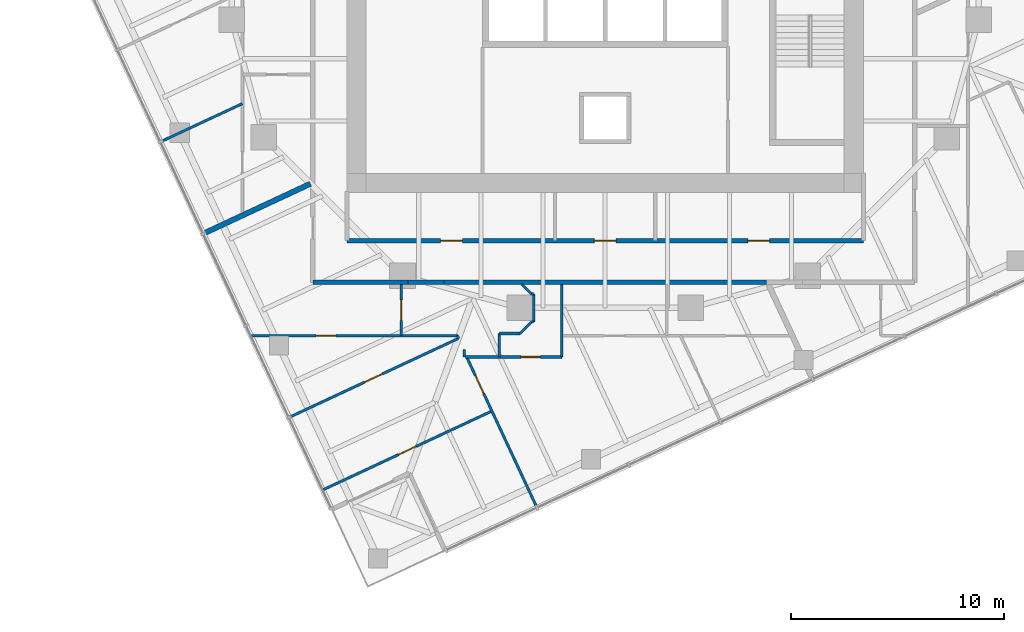
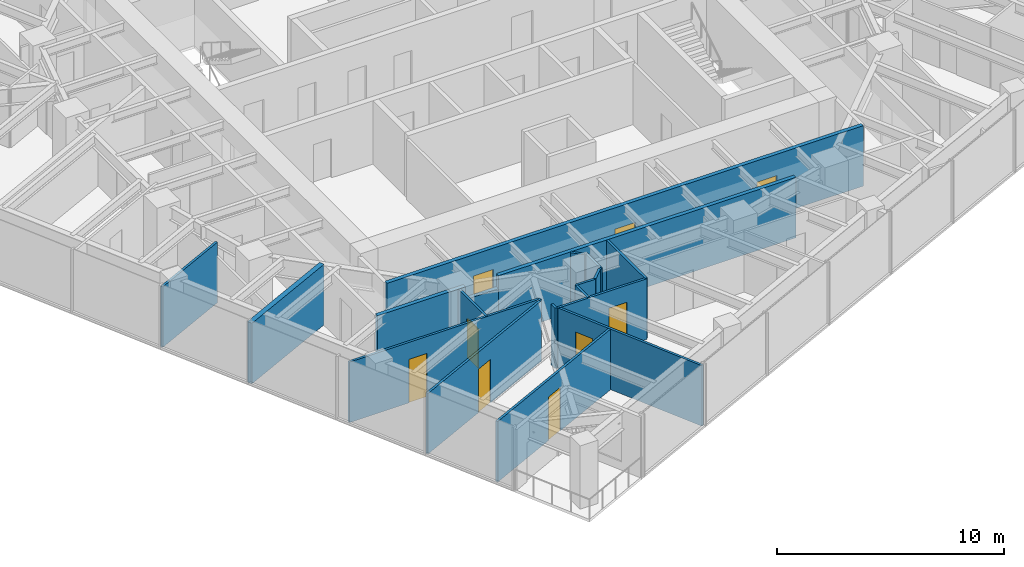
# One storey, part 7 of 13: 22 walls, 9 doors, 9 openings.
"""IFC4 building model written with IfcOpenShell, lengths in metres."""

from ifc_helpers import new_model, si_unit, direction, frame, frame_2d, origin, place, context, subcontext, project, spatial, rectangle, extrude, material, layer, layer_set, type_object, element, fill, save


model = new_model("IFC4")

# Units and contexts
model_context = context("Model", 3, precision=1e-05, world=origin(), true_north=direction((0.0, 1.0)))
body_context = subcontext(model_context, "Body", "Model", "MODEL_VIEW")
ifc_project = project(units=[si_unit("LENGTHUNIT", "METRE"), si_unit("AREAUNIT", "SQUARE_METRE"), si_unit("VOLUMEUNIT", "CUBIC_METRE"), si_unit("PLANEANGLEUNIT", "RADIAN"), si_unit("MASSUNIT", "GRAM", prefix="KILO")], contexts=[model_context])

# Site, building, storey
site_placement = place(None, origin())
site = spatial("IfcSite", under=ifc_project, at=site_placement, CompositionType="ELEMENT")
building_placement = place(site_placement, origin())
building = spatial("IfcBuilding", under=site, at=building_placement, Name="Torsade Residences", CompositionType="ELEMENT")
storey_placement = place(building_placement, frame((0.0, 0.0, 176.0)))
storey = spatial("IfcBuildingStorey", under=building, at=storey_placement, Name="L48", CompositionType="ELEMENT", Elevation=176.0)

# Walls
ifc_material_1 = material(Name="Plasterboard on steel stud", Category="steel")
ifc_layer_1 = layer(ifc_material_1, 0.199951171875)
ifc_layer_set_1 = layer_set([ifc_layer_1], Name="Plasterboard on steel stud")
wall_type_1 = type_object("IfcWallType", Name="CORRIDOR WALL 200", PredefinedType="PARTITIONING", material=ifc_layer_set_1)
wall_1_placement = place(storey_placement, frame((26.300048828125, 13.699951171875, 0.0), z_axis=(0.0, 0.0, 1.0), x_axis=(1.0, 0.0, 0.0)))
element("IfcWall", 1, at=wall_1_placement, inside=storey, type_object=wall_type_1, Name="Corridor wall L48", PredefinedType="PARTITIONING", context=body_context, shape_type="SweptSolid", body=[
    extrude(rectangle(XDim=4.458251953125, YDim=0.199951171875, at=frame_2d((2.22900390625, 0.0))), origin(), (0.0, 0.0, 1.0), 3.25),
])
wall_2_placement = place(storey_placement, frame((30.75830078125, 13.699951171875, 0.0), z_axis=(0.0, 0.0, 1.0), x_axis=(1.0, 0.0, 0.0)))
element("IfcWall", 2, at=wall_2_placement, inside=storey, type_object=wall_type_1, Name="Corridor wall L48", PredefinedType="PARTITIONING", context=body_context, shape_type="SweptSolid", body=[
    extrude(rectangle(XDim=1.683349609375, YDim=0.199951171875, at=frame_2d((0.841796875, 0.0))), origin(), (0.0, 0.0, 1.0), 2.550048828125),
])
wall_3_placement = place(storey_placement, frame((32.441650390625, 13.699951171875, 0.0), z_axis=(0.0, 0.0, 1.0), x_axis=(1.0, 0.0, 0.0)))
element("IfcWall", 3, at=wall_3_placement, inside=storey, type_object=wall_type_1, Name="Corridor wall L48", PredefinedType="PARTITIONING", context=body_context, shape_type="SweptSolid", body=[
    extrude(rectangle(XDim=15.11669921875, YDim=0.199951171875, at=frame_2d((7.558349609375, 0.0))), origin(), (0.0, 0.0, 1.0), 3.25),
])

# Wall, openings, doors
wall_4_placement = place(storey_placement, frame((27.89990234375, 15.64990234375, 0.0), z_axis=(0.0, 0.0, 1.0), x_axis=(1.0, 0.0, 0.0)))
wall_4 = element("IfcWall", 4, at=wall_4_placement, inside=storey, type_object=wall_type_1, Name="Corridor wall L48", PredefinedType="PARTITIONING", context=body_context, shape_type="SweptSolid", body=[
    extrude(rectangle(XDim=24.2001953125, YDim=0.199951171875, at=frame_2d((12.10009765625, 0.0))), origin(), (0.0, 0.0, 1.0), 3.25),
])
opening_1_placement = place(wall_4_placement, frame((4.391357421875, 0.0, 0.0)))
opening_1 = element("IfcOpeningElement", 5, at=opening_1_placement, cuts=wall_4, Name="Opening D03", PredefinedType="OPENING", context=body_context, shape_type="SweptSolid", body=[
    extrude(rectangle(XDim=1.02001953125, YDim=2.10009765625, at=frame_2d((0.510009765625, 1.050048828125))), frame((0.0, 0.10986328125, 0.0), z_axis=(0.0, -1.0, 0.0), x_axis=(1.0, 0.0, 0.0)), (0.0, 0.0, 1.0), 0.219970703125),
])
opening_2_placement = place(wall_4_placement, frame((18.788818359375, 0.0, 0.0)))
opening_2 = element("IfcOpeningElement", 6, at=opening_2_placement, cuts=wall_4, Name="Opening D03", PredefinedType="OPENING", context=body_context, shape_type="SweptSolid", body=[
    extrude(rectangle(XDim=1.02001953125, YDim=2.10009765625, at=frame_2d((0.510009765625, 1.050048828125))), frame((0.0, 0.10986328125, 0.0), z_axis=(0.0, -1.0, 0.0), x_axis=(1.0, 0.0, 0.0)), (0.0, 0.0, 1.0), 0.219970703125),
])
opening_3_placement = place(wall_4_placement, frame((11.590087890625, 0.0, 0.0)))
opening_3 = element("IfcOpeningElement", 7, at=opening_3_placement, cuts=wall_4, Name="Opening D03", PredefinedType="OPENING", context=body_context, shape_type="SweptSolid", body=[
    extrude(rectangle(XDim=1.02001953125, YDim=2.10009765625, at=frame_2d((0.510009765625, 1.050048828125))), frame((0.0, 0.10986328125, 0.0), z_axis=(0.0, -1.0, 0.0), x_axis=(1.0, 0.0, 0.0)), (0.0, 0.0, 1.0), 0.219970703125),
])
ifc_material_2 = material(Name="Steel-framed fire door", Category="steel")
door_type_1 = type_object("IfcDoorType", Name="FIRE DOOR 1020", OperationType="NOTDEFINED", PredefinedType="DOOR", material=ifc_material_2)
door_1_placement = place(opening_1_placement, origin())
door_1 = element("IfcDoor", 8, at=door_1_placement, inside=storey, type_object=door_type_1, Name="Door Residential corridor to Residents storage", OperationType="SINGLE_SWING_LEFT", OverallHeight=2.10009765625, OverallWidth=1.02001953125, PredefinedType="DOOR", context=body_context, shape_type="SweptSolid", body=[
    extrude(rectangle(XDim=1.02001953125, YDim=2.10009765625, at=frame_2d((0.510009765625, 1.050048828125))), frame((0.0, 0.02490234375, 0.0), z_axis=(0.0, -1.0, 0.0), x_axis=(1.0, 0.0, 0.0)), (0.0, 0.0, 1.0), 0.050048828125),
])
fill(opening_1, door_1)
door_2_placement = place(opening_2_placement, origin())
door_2 = element("IfcDoor", 9, at=door_2_placement, inside=storey, type_object=door_type_1, Name="Door Residential corridor to Parcel room", OperationType="SINGLE_SWING_RIGHT", OverallHeight=2.10009765625, OverallWidth=1.02001953125, PredefinedType="DOOR", context=body_context, shape_type="SweptSolid", body=[
    extrude(rectangle(XDim=1.02001953125, YDim=2.10009765625, at=frame_2d((0.510009765625, 1.050048828125))), frame((0.0, 0.02490234375, 0.0), z_axis=(0.0, -1.0, 0.0), x_axis=(1.0, 0.0, 0.0)), (0.0, 0.0, 1.0), 0.050048828125),
])
fill(opening_2, door_2)
door_3_placement = place(opening_3_placement, origin())
door_3 = element("IfcDoor", 10, at=door_3_placement, inside=storey, type_object=door_type_1, Name="Door Residential corridor to Cleaner store", OperationType="SINGLE_SWING_RIGHT", OverallHeight=2.10009765625, OverallWidth=1.02001953125, PredefinedType="DOOR", context=body_context, shape_type="SweptSolid", body=[
    extrude(rectangle(XDim=1.02001953125, YDim=2.10009765625, at=frame_2d((0.510009765625, 1.050048828125))), frame((0.0, 0.02490234375, 0.0), z_axis=(0.0, -1.0, 0.0), x_axis=(1.0, 0.0, 0.0)), (0.0, 0.0, 1.0), 0.050048828125),
])
fill(opening_3, door_3)

# Wall
ifc_material_3 = material(Name="Plasterboard on steel stud", Category="steel")
ifc_layer_2 = layer(ifc_material_3, 0.1201171875)
ifc_layer_set_2 = layer_set([ifc_layer_2], Name="Plasterboard on steel stud")
wall_type_2 = type_object("IfcWallType", Name="PARTITION 120", PredefinedType="PARTITIONING", material=ifc_layer_set_2)
wall_5_placement = place(storey_placement, frame((23.0, 22.07275390625, 0.0), z_axis=(0.0, 0.0, 1.0), x_axis=(-0.906304800396, -0.422624666552, 0.0)))
element("IfcWall", 11, at=wall_5_placement, inside=storey, type_object=wall_type_2, Name="Partition L48", PredefinedType="PARTITIONING", context=body_context, shape_type="SweptSolid", body=[
    extrude(rectangle(XDim=4.20263671875, YDim=0.1201171875, at=frame_2d((2.101318359375, 0.0))), origin(), (0.0, 0.0, 1.0), 3.25),
])

# Wall, opening, door
wall_6_placement = place(storey_placement, frame((30.449951171875, 13.60009765625, 0.0), z_axis=(0.0, 0.0, 1.0), x_axis=(0.0, -1.0, 0.0)))
wall_6 = element("IfcWall", 12, at=wall_6_placement, inside=storey, type_object=wall_type_2, Name="Partition L48", PredefinedType="PARTITIONING", context=body_context, shape_type="SweptSolid", body=[
    extrude(rectangle(XDim=2.400146484375, YDim=0.1201171875, at=frame_2d((1.2001953125, 0.0))), origin(), (0.0, 0.0, 1.0), 3.25),
])
opening_4_placement = place(wall_6_placement, frame((0.719970703125, 0.0, 0.0)))
opening_4 = element("IfcOpeningElement", 13, at=opening_4_placement, cuts=wall_6, Name="Opening D05", PredefinedType="OPENING", context=body_context, shape_type="SweptSolid", body=[
    extrude(rectangle(XDim=0.9599609375, YDim=2.10009765625, at=frame_2d((0.47998046875, 1.050048828125))), frame((0.0, 0.070068359375, 0.0), z_axis=(0.0, -1.0, 0.0), x_axis=(1.0, 0.0, 0.0)), (0.0, 0.0, 1.0), 0.14013671875),
])
ifc_material_4 = material(Name="Hollow-core timber door in a steel cavity frame", Category="steel")
door_type_2 = type_object("IfcDoorType", Name="BATHROOM CAVITY SLIDING DOOR 960", OperationType="SLIDING_TO_LEFT", PredefinedType="DOOR", material=ifc_material_4)
door_4_placement = place(opening_4_placement, origin())
door_4 = element("IfcDoor", 14, at=door_4_placement, inside=storey, type_object=door_type_2, Name="Door Kitchen and dining to Bathroom", OperationType="SLIDING_TO_LEFT", OverallHeight=2.10009765625, OverallWidth=0.9599609375, PredefinedType="DOOR", context=body_context, shape_type="SweptSolid", body=[
    extrude(rectangle(XDim=0.9599609375, YDim=2.10009765625, at=frame_2d((0.47998046875, 1.050048828125))), frame((0.0, 0.02490234375, 0.0), z_axis=(0.0, -1.0, 0.0), x_axis=(1.0, 0.0, 0.0)), (0.0, 0.0, 1.0), 0.050048828125),
])
fill(opening_4, door_4)

wall_7_placement = place(storey_placement, frame((33.0986328125, 11.199951171875, 0.0), z_axis=(0.0, 0.0, 1.0), x_axis=(-1.0, 0.0, 0.0)))
wall_7 = element("IfcWall", 15, at=wall_7_placement, inside=storey, type_object=wall_type_2, Name="Partition L48", PredefinedType="PARTITIONING", context=body_context, shape_type="SweptSolid", body=[
    extrude(rectangle(XDim=9.66552734375, YDim=0.1201171875, at=frame_2d((4.832763671875, 0.0))), origin(), (0.0, 0.0, 1.0), 3.25),
])
opening_5_placement = place(wall_7_placement, frame((5.71923828125, 0.0, 0.0)))
opening_5 = element("IfcOpeningElement", 16, at=opening_5_placement, cuts=wall_7, Name="Opening D02", PredefinedType="OPENING", context=body_context, shape_type="SweptSolid", body=[
    extrude(rectangle(XDim=0.919921875, YDim=2.340087890625, at=frame_2d((0.4599609375, 1.169921875))), frame((0.0, 0.070068359375, 0.0), z_axis=(0.0, -1.0, 0.0), x_axis=(1.0, 0.0, 0.0)), (0.0, 0.0, 1.0), 0.14013671875),
])
ifc_material_5 = material(Name="Hollow-core timber door", Category="wood")
door_type_3 = type_object("IfcDoorType", Name="INTERNAL DOOR 920x2340", OperationType="NOTDEFINED", PredefinedType="DOOR", material=ifc_material_5)
door_5_placement = place(opening_5_placement, origin())
door_5 = element("IfcDoor", 17, at=door_5_placement, inside=storey, type_object=door_type_3, Name="Door Kitchen and dining to Bedroom 3", OperationType="SINGLE_SWING_RIGHT", OverallHeight=2.340087890625, OverallWidth=0.919921875, PredefinedType="DOOR", context=body_context, shape_type="SweptSolid", body=[
    extrude(rectangle(XDim=0.919921875, YDim=2.340087890625, at=frame_2d((0.4599609375, 1.169921875))), frame((0.0, 0.02490234375, 0.0), z_axis=(0.0, -1.0, 0.0), x_axis=(1.0, 0.0, 0.0)), (0.0, 0.0, 1.0), 0.050048828125),
])
fill(opening_5, door_5)

# Walls
wall_8_placement = place(storey_placement, frame((37.973876953125, 10.199951171875, 0.0), z_axis=(0.0, 0.0, 1.0), x_axis=(0.0, 1.0, 0.0)))
element("IfcWall", 18, at=wall_8_placement, inside=storey, type_object=wall_type_2, Name="Partition L48", PredefinedType="PARTITIONING", context=body_context, shape_type="SweptSolid", body=[
    extrude(rectangle(XDim=3.400146484375, YDim=0.1201171875, at=frame_2d((1.7001953125, 0.0))), origin(), (0.0, 0.0, 1.0), 3.25),
])
wall_9_placement = place(storey_placement, frame((36.10009765625, 13.60009765625, 0.0), z_axis=(0.0, 0.0, 1.0), x_axis=(0.70691497141, -0.707298538947, 0.0)))
element("IfcWall", 19, at=wall_9_placement, inside=storey, type_object=wall_type_2, Name="Partition L48", PredefinedType="PARTITIONING", context=body_context, shape_type="SweptSolid", body=[
    extrude(rectangle(XDim=0.636474609375, YDim=0.1201171875, at=frame_2d((0.318359375, 0.0))), origin(), (0.0, 0.0, 1.0), 3.25),
])
wall_10_placement = place(storey_placement, frame((36.64990234375, 13.14990234375, 0.0), z_axis=(0.0, 0.0, 1.0), x_axis=(0.0, -1.0, 0.0)))
element("IfcWall", 20, at=wall_10_placement, inside=storey, type_object=wall_type_2, Name="Partition L48", PredefinedType="PARTITIONING", context=body_context, shape_type="SweptSolid", body=[
    extrude(rectangle(XDim=1.2998046875, YDim=0.1201171875, at=frame_2d((0.64990234375, 0.0))), origin(), (0.0, 0.0, 1.0), 3.25),
])
wall_11_placement = place(storey_placement, frame((36.550048828125, 11.85009765625, 0.0), z_axis=(0.0, 0.0, 1.0), x_axis=(-0.707106781187, -0.707106781187, 0.0)))
element("IfcWall", 21, at=wall_11_placement, inside=storey, type_object=wall_type_2, Name="Partition L48", PredefinedType="PARTITIONING", context=body_context, shape_type="SweptSolid", body=[
    extrude(rectangle(XDim=0.77783203125, YDim=0.1201171875, at=frame_2d((0.388916015625, 0.0))), origin(), (0.0, 0.0, 1.0), 3.25),
])
wall_12_placement = place(storey_placement, frame((36.0, 11.300048828125, 0.0), z_axis=(0.0, 0.0, 1.0), x_axis=(-1.0, 0.0, 0.0)))
element("IfcWall", 22, at=wall_12_placement, inside=storey, type_object=wall_type_2, Name="Partition L48", PredefinedType="PARTITIONING", context=body_context, shape_type="SweptSolid", body=[
    extrude(rectangle(XDim=0.958251953125, YDim=0.1201171875, at=frame_2d((0.47900390625, 0.0))), origin(), (0.0, 0.0, 1.0), 3.25),
])
wall_13_placement = place(storey_placement, frame((35.041748046875, 11.300048828125, 0.0), z_axis=(0.0, 0.0, 1.0), x_axis=(0.0, -1.0, 0.0)))
element("IfcWall", 23, at=wall_13_placement, inside=storey, type_object=wall_type_2, Name="Partition L48", PredefinedType="PARTITIONING", context=body_context, shape_type="SweptSolid", body=[
    extrude(rectangle(XDim=1.10009765625, YDim=0.1201171875, at=frame_2d((0.550048828125, 0.0))), origin(), (0.0, 0.0, 1.0), 3.25),
])

# Wall, opening, door
wall_14_placement = place(storey_placement, frame((37.973876953125, 10.199951171875, 0.0), z_axis=(0.0, 0.0, 1.0), x_axis=(-1.0, 0.0, 0.0)))
wall_14 = element("IfcWall", 24, at=wall_14_placement, inside=storey, type_object=wall_type_2, Name="Partition L48", PredefinedType="PARTITIONING", context=body_context, shape_type="SweptSolid", body=[
    extrude(rectangle(XDim=4.519287109375, YDim=0.1201171875, at=frame_2d((2.259765625, 0.0))), origin(), (0.0, 0.0, 1.0), 3.25),
])
opening_6_placement = place(wall_14_placement, frame((1.006103515625, 0.0, 0.0)))
opening_6 = element("IfcOpeningElement", 25, at=opening_6_placement, cuts=wall_14, Name="Opening D02", PredefinedType="OPENING", context=body_context, shape_type="SweptSolid", body=[
    extrude(rectangle(XDim=0.919921875, YDim=2.340087890625, at=frame_2d((0.4599609375, 1.169921875))), frame((0.0, 0.070068359375, 0.0), z_axis=(0.0, -1.0, 0.0), x_axis=(1.0, 0.0, 0.0)), (0.0, 0.0, 1.0), 0.14013671875),
])
door_6_placement = place(opening_6_placement, origin())
door_6 = element("IfcDoor", 26, at=door_6_placement, inside=storey, type_object=door_type_3, Name="Door Living room to Study", OperationType="SINGLE_SWING_RIGHT", OverallHeight=2.340087890625, OverallWidth=0.919921875, PredefinedType="DOOR", context=body_context, shape_type="SweptSolid", body=[
    extrude(rectangle(XDim=0.919921875, YDim=2.340087890625, at=frame_2d((0.4599609375, 1.169921875))), frame((0.0, 0.02490234375, 0.0), z_axis=(0.0, -1.0, 0.0), x_axis=(1.0, 0.0, 0.0)), (0.0, 0.0, 1.0), 0.050048828125),
])
fill(opening_6, door_6)

# Wall
wall_15_placement = place(storey_placement, frame((33.401611328125, 10.199951171875, 0.0), z_axis=(0.0, 0.0, 1.0), x_axis=(0.0, 1.0, 0.0)))
element("IfcWall", 27, at=wall_15_placement, inside=storey, type_object=wall_type_2, Name="Partition L48", PredefinedType="PARTITIONING", context=body_context, shape_type="SweptSolid", body=[
    extrude(rectangle(XDim=0.35009765625, YDim=0.1201171875, at=frame_2d((0.175048828125, 0.0))), origin(), (0.0, 0.0, 1.0), 3.25),
])

# Wall, opening, door
wall_16_placement = place(storey_placement, frame((36.78857421875, 3.1689453125, 0.0), z_axis=(0.0, 0.0, 1.0), x_axis=(-0.422639089597, 0.906298074557, 0.0)))
wall_16 = element("IfcWall", 28, at=wall_16_placement, inside=storey, type_object=wall_type_2, Name="Partition L48", PredefinedType="PARTITIONING", context=body_context, shape_type="SweptSolid", body=[
    extrude(rectangle(XDim=7.758056640625, YDim=0.1201171875, at=frame_2d((3.87890625, 0.0))), origin(), (0.0, 0.0, 1.0), 3.25),
])
opening_7_placement = place(wall_16_placement, frame((5.875244140625, 0.0, 0.0)))
opening_7 = element("IfcOpeningElement", 29, at=opening_7_placement, cuts=wall_16, Name="Opening D02", PredefinedType="OPENING", context=body_context, shape_type="SweptSolid", body=[
    extrude(rectangle(XDim=0.919921875, YDim=2.340087890625, at=frame_2d((0.4599609375, 1.169921875))), frame((0.0, 0.070068359375, 0.0), z_axis=(0.0, -1.0, 0.0), x_axis=(1.0, 0.0, 0.0)), (0.0, 0.0, 1.0), 0.14013671875),
])
door_7_placement = place(opening_7_placement, origin())
door_7 = element("IfcDoor", 30, at=door_7_placement, inside=storey, type_object=door_type_3, Name="Door Bedroom 1 to Living room", OperationType="SINGLE_SWING_LEFT", OverallHeight=2.340087890625, OverallWidth=0.919921875, PredefinedType="DOOR", context=body_context, shape_type="SweptSolid", body=[
    extrude(rectangle(XDim=0.919921875, YDim=2.340087890625, at=frame_2d((0.4599609375, 1.169921875))), frame((0.0, 0.02490234375, 0.0), z_axis=(0.0, -1.0, 0.0), x_axis=(1.0, 0.0, 0.0)), (0.0, 0.0, 1.0), 0.050048828125),
])
fill(opening_7, door_7)

wall_17_placement = place(storey_placement, frame((34.691162109375, 7.66650390625, 0.0), z_axis=(0.0, 0.0, 1.0), x_axis=(-0.906303404798, -0.422627659354, 0.0)))
wall_17 = element("IfcWall", 31, at=wall_17_placement, inside=storey, type_object=wall_type_2, Name="Partition L48", PredefinedType="PARTITIONING", context=body_context, shape_type="SweptSolid", body=[
    extrude(rectangle(XDim=8.710205078125, YDim=0.1201171875, at=frame_2d((4.35498046875, 0.0))), origin(), (0.0, 0.0, 1.0), 3.25),
])
opening_8_placement = place(wall_17_placement, frame((3.9150390625, 0.0, 0.0)))
opening_8 = element("IfcOpeningElement", 32, at=opening_8_placement, cuts=wall_17, Name="Opening D02", PredefinedType="OPENING", context=body_context, shape_type="SweptSolid", body=[
    extrude(rectangle(XDim=0.919921875, YDim=2.340087890625, at=frame_2d((0.4599609375, 1.169921875))), frame((0.0, 0.070068359375, 0.0), z_axis=(0.0, -1.0, 0.0), x_axis=(1.0, 0.0, 0.0)), (0.0, 0.0, 1.0), 0.14013671875),
])
door_8_placement = place(opening_8_placement, origin())
door_8 = element("IfcDoor", 33, at=door_8_placement, inside=storey, type_object=door_type_3, Name="Door Bedroom 1 to Bedroom 2", OperationType="SINGLE_SWING_LEFT", OverallHeight=2.340087890625, OverallWidth=0.919921875, PredefinedType="DOOR", context=body_context, shape_type="SweptSolid", body=[
    extrude(rectangle(XDim=0.919921875, YDim=2.340087890625, at=frame_2d((0.4599609375, 1.169921875))), frame((0.0, 0.02490234375, 0.0), z_axis=(0.0, -1.0, 0.0), x_axis=(1.0, 0.0, 0.0)), (0.0, 0.0, 1.0), 0.050048828125),
])
fill(opening_8, door_8)

wall_18_placement = place(storey_placement, frame((25.21337890625, 7.3818359375, 0.0), z_axis=(0.0, 0.0, 1.0), x_axis=(0.906314140712, 0.422604635972, 0.0)))
wall_18 = element("IfcWall", 34, at=wall_18_placement, inside=storey, type_object=wall_type_2, Name="Partition L48", PredefinedType="PARTITIONING", context=body_context, shape_type="SweptSolid", body=[
    extrude(rectangle(XDim=8.7099609375, YDim=0.1201171875, at=frame_2d((4.35498046875, 0.0))), origin(), (0.0, 0.0, 1.0), 3.25),
])
opening_9_placement = place(wall_18_placement, frame((3.875, 0.0, 0.0)))
opening_9 = element("IfcOpeningElement", 35, at=opening_9_placement, cuts=wall_18, Name="Opening D02", PredefinedType="OPENING", context=body_context, shape_type="SweptSolid", body=[
    extrude(rectangle(XDim=0.919921875, YDim=2.340087890625, at=frame_2d((0.4599609375, 1.169921875))), frame((0.0, 0.070068359375, 0.0), z_axis=(0.0, -1.0, 0.0), x_axis=(1.0, 0.0, 0.0)), (0.0, 0.0, 1.0), 0.14013671875),
])
door_9_placement = place(opening_9_placement, origin())
door_9 = element("IfcDoor", 36, at=door_9_placement, inside=storey, type_object=door_type_3, Name="Door Bedroom 3 to Bedroom 1", OperationType="SINGLE_SWING_LEFT", OverallHeight=2.340087890625, OverallWidth=0.919921875, PredefinedType="DOOR", context=body_context, shape_type="SweptSolid", body=[
    extrude(rectangle(XDim=0.919921875, YDim=2.340087890625, at=frame_2d((0.4599609375, 1.169921875))), frame((0.0, 0.02490234375, 0.0), z_axis=(0.0, -1.0, 0.0), x_axis=(1.0, 0.0, 0.0)), (0.0, 0.0, 1.0), 0.050048828125),
])
fill(opening_9, door_9)

# Walls
wall_19_placement = place(storey_placement, frame((33.0986328125, 11.199951171875, 0.0), z_axis=(0.0, 0.0, 1.0), x_axis=(0.063925920424, -0.997954646614, 0.0)))
element("IfcWall", 37, at=wall_19_placement, inside=storey, type_object=wall_type_2, Name="Partition L48", PredefinedType="PARTITIONING", context=body_context, shape_type="SweptSolid", body=[
    extrude(rectangle(XDim=0.137451171875, YDim=0.1201171875, at=frame_2d((0.06884765625, 0.0))), origin(), (0.0, 0.0, 1.0), 3.25),
])
for number, where, z_axis, x_axis, name in (
    (38, (36.64990234375, 13.14990234375, 0.0), (0.0, 0.0, 1.0), (-1.0, 0.0, 0.0), "Partition L48"),
    (39, (36.64990234375, 11.85009765625, 0.0), (0.0, 0.0, 1.0), (-1.0, 0.0, 0.0), "Partition L48"),
):
    element("IfcWall", number, at=place(storey_placement, frame(where, z_axis=z_axis, x_axis=x_axis)), inside=storey, type_object=wall_type_2, Name=name, PredefinedType="PARTITIONING", context=body_context, shape_type="SweptSolid", body=[
        extrude(rectangle(XDim=0.099853515625, YDim=0.1201171875, at=frame_2d((0.0498046875, 0.0))), origin(), (0.0, 0.0, 1.0), 3.25),
    ])
ifc_material_6 = material(Name="Masonry-lined stud party wall", Category="masonry")
ifc_layer_3 = layer(ifc_material_6, 0.25)
ifc_layer_set_3 = layer_set([ifc_layer_3], Name="Masonry-lined stud party wall")
wall_type_3 = type_object("IfcWallType", Name="PARTY WALL 250", PredefinedType="PARTITIONING", material=ifc_layer_set_3)
wall_20_placement = place(storey_placement, frame((21.162353515625, 15.974853515625, 0.0), z_axis=(0.0, 0.0, 1.0), x_axis=(0.906309193024, 0.422615246577, 0.0)))
element("IfcWall", 40, at=wall_20_placement, inside=storey, type_object=wall_type_3, Name="Party wall L48", PredefinedType="PARTITIONING", context=body_context, shape_type="SweptSolid", body=[
    extrude(rectangle(XDim=5.5400390625, YDim=0.25, at=frame_2d((2.77001953125, 0.0))), origin(), (0.0, 0.0, 1.0), 3.25),
])

save(model, "model.ifc")
